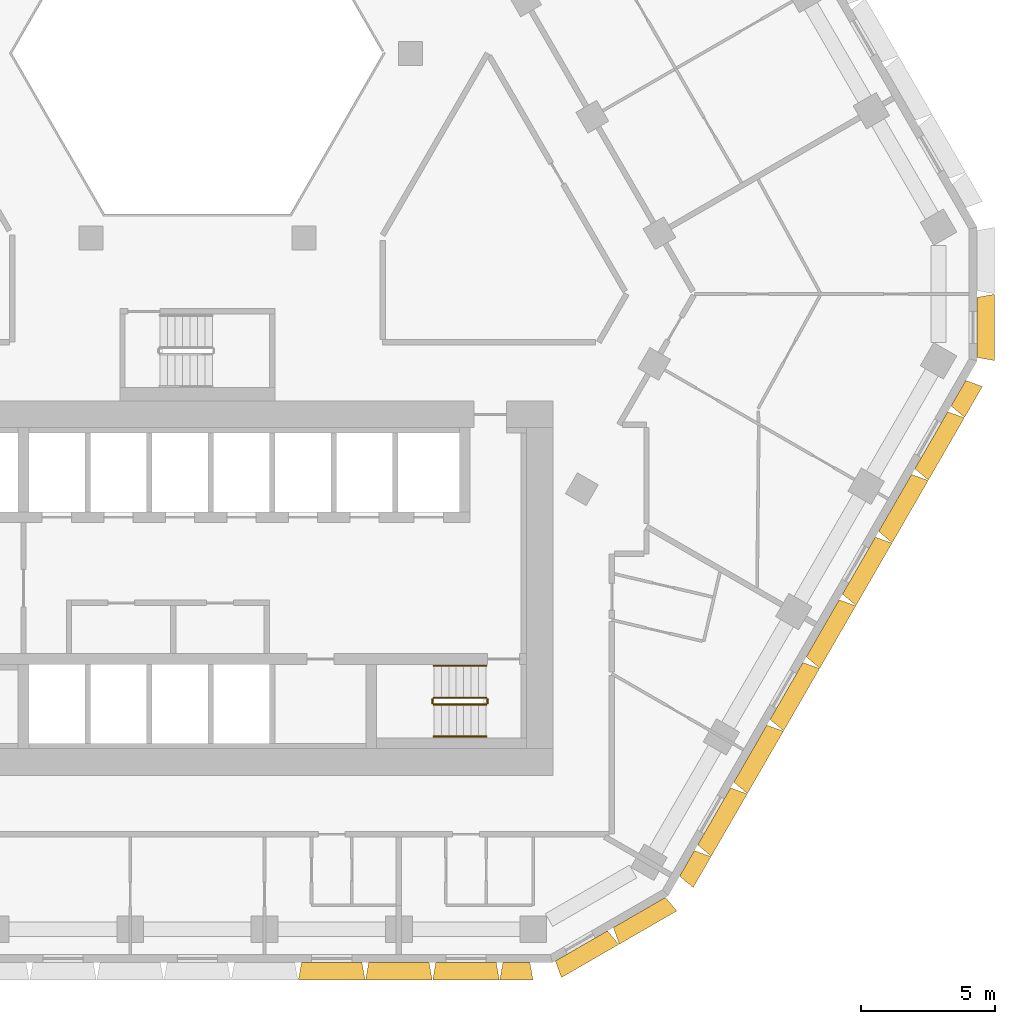
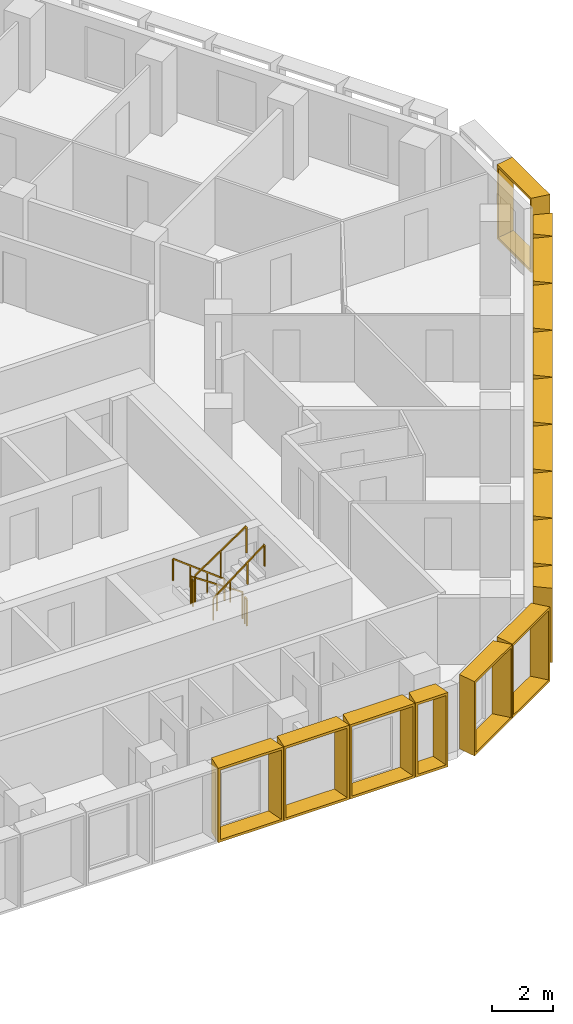
# One storey, part 14 of 15: 16 shading devices, 6 railings.
"""IFC4 building model written with IfcOpenShell, lengths in metres."""

from ifc_helpers import new_model, entity, si_unit, direction, frame, origin, origin_2d, place, context, subcontext, project, spatial, rectangle, extrude, source, transform, mapped, material, type_object, type_shapes, element, save


model = new_model("IFC4")

# Units and contexts
model_context = context("Model", 3, precision=1e-05, world=origin(), true_north=direction((0.0, 1.0)))
body_context = subcontext(model_context, "Body", "Model", "MODEL_VIEW")
ifc_project = project(units=[si_unit("LENGTHUNIT", "METRE"), si_unit("AREAUNIT", "SQUARE_METRE"), si_unit("VOLUMEUNIT", "CUBIC_METRE"), si_unit("PLANEANGLEUNIT", "RADIAN"), si_unit("MASSUNIT", "GRAM", prefix="KILO")], contexts=[model_context])

# Site, building, storey
site_placement = place(None, origin())
site = spatial("IfcSite", under=ifc_project, at=site_placement, CompositionType="ELEMENT")
building_placement = place(site_placement, origin())
building = spatial("IfcBuilding", under=site, at=building_placement, Name="Beryl Residences", CompositionType="ELEMENT")
storey_placement = place(building_placement, frame((0.0, 0.0, 78.0)))
storey = spatial("IfcBuildingStorey", under=building, at=storey_placement, Name="L23", CompositionType="ELEMENT", Elevation=78.0)

# Shading devices
ifc_material_1 = material(Name="Aluminium pale anodised", Category="aluminium")
shading_device_type_1 = type_object("IfcShadingDeviceType", Name="FR126-65A OUTER SKIN frame 650 mm deep, splay 10/10 deg, 1260 x 3000 mm cell", PredefinedType="USERDEFINED", material=ifc_material_1)
cartesian_point_1 = entity("IfcCartesianPoint", [-0.5048828125, 0.0])
cartesian_point_2 = entity("IfcCartesianPoint", [-0.423828125, 0.10009765625])
cartesian_point_3 = entity("IfcCartesianPoint", [-0.61962890625, 0.0])
cartesian_point_4 = entity("IfcCartesianPoint", [-0.538330078125, 0.10009765625])
shared_shape_1 = source(origin(), body_context, "Body", "SweptSolid", [
    entity("IfcExtrudedAreaSolidTapered", entity("IfcArbitraryProfileDefWithVoids", "AREA", None, entity("IfcPolyline", [cartesian_point_1, entity("IfcCartesianPoint", [0.5048828125, 0.0]), entity("IfcCartesianPoint", [0.5048828125, 3.0]), entity("IfcCartesianPoint", [-0.5048828125, 3.0]), cartesian_point_1]), [entity("IfcPolyline", [cartesian_point_2, entity("IfcCartesianPoint", [0.423828125, 0.10009765625]), entity("IfcCartesianPoint", [0.423828125, 2.89990234375]), entity("IfcCartesianPoint", [-0.423828125, 2.89990234375]), cartesian_point_2])]), entity("IfcAxis2Placement3D", entity("IfcCartesianPoint", [0.0, 0.0, 0.0]), entity("IfcDirection", [0.0, 1.0, 0.0]), entity("IfcDirection", [-1.0, 0.0, 0.0])), entity("IfcDirection", [0.0, 0.0, 1.0]), 0.64990234375, entity("IfcArbitraryProfileDefWithVoids", "AREA", None, entity("IfcPolyline", [cartesian_point_3, entity("IfcCartesianPoint", [0.61962890625, 0.0]), entity("IfcCartesianPoint", [0.61962890625, 3.0]), entity("IfcCartesianPoint", [-0.61962890625, 3.0]), cartesian_point_3]), [entity("IfcPolyline", [cartesian_point_4, entity("IfcCartesianPoint", [0.538330078125, 0.10009765625]), entity("IfcCartesianPoint", [0.538330078125, 2.89990234375]), entity("IfcCartesianPoint", [-0.538330078125, 2.89990234375]), cartesian_point_4])])),
])
type_shapes(shading_device_type_1, [shared_shape_1])
shading_device_placement = place(storey_placement, frame((11.929931640625, -26.0, 0.0), z_axis=(0.0, 0.0, 1.0), x_axis=(-1.0, 0.0, 0.0)))
element("IfcShadingDevice", 1, at=shading_device_placement, inside=storey, type_object=shading_device_type_1, Name="FR126-65A frame L23 S 11", ObjectType="OUTER SKIN", PredefinedType="USERDEFINED", context=body_context, shape_type="MappedRepresentation", body=[
    mapped(shared_shape_1, transform((0.0, 0.0, 0.0))),
])
ifc_material_2 = material(Name="Aluminium pale anodised", Category="aluminium")
shading_device_type_2 = type_object("IfcShadingDeviceType", Name="FR135-65A OUTER SKIN frame 650 mm deep, splay 10/10 deg, 1350 x 3000 mm cell", PredefinedType="USERDEFINED", material=ifc_material_2)
cartesian_point_5 = entity("IfcCartesianPoint", [-0.550048828125, 0.0])
cartesian_point_6 = entity("IfcCartesianPoint", [-0.46875, 0.10009765625])
cartesian_point_7 = entity("IfcCartesianPoint", [-0.66455078125, 0.0])
cartesian_point_8 = entity("IfcCartesianPoint", [-0.58349609375, 0.10009765625])
shared_shape_2 = source(origin(), body_context, "Body", "SweptSolid", [
    entity("IfcExtrudedAreaSolidTapered", entity("IfcArbitraryProfileDefWithVoids", "AREA", None, entity("IfcPolyline", [cartesian_point_5, entity("IfcCartesianPoint", [0.550048828125, 0.0]), entity("IfcCartesianPoint", [0.550048828125, 3.0]), entity("IfcCartesianPoint", [-0.550048828125, 3.0]), cartesian_point_5]), [entity("IfcPolyline", [cartesian_point_6, entity("IfcCartesianPoint", [0.46875, 0.10009765625]), entity("IfcCartesianPoint", [0.46875, 2.89990234375]), entity("IfcCartesianPoint", [-0.46875, 2.89990234375]), cartesian_point_6])]), entity("IfcAxis2Placement3D", entity("IfcCartesianPoint", [0.0, 0.0, 0.0]), entity("IfcDirection", [0.0, 1.0, 0.0]), entity("IfcDirection", [-1.0, 0.0, 0.0])), entity("IfcDirection", [0.0, 0.0, 1.0]), 0.64990234375, entity("IfcArbitraryProfileDefWithVoids", "AREA", None, entity("IfcPolyline", [cartesian_point_7, entity("IfcCartesianPoint", [0.66455078125, 0.0]), entity("IfcCartesianPoint", [0.66455078125, 3.0]), entity("IfcCartesianPoint", [-0.66455078125, 3.0]), cartesian_point_7]), [entity("IfcPolyline", [cartesian_point_8, entity("IfcCartesianPoint", [0.58349609375, 0.10009765625]), entity("IfcCartesianPoint", [0.58349609375, 2.89990234375]), entity("IfcCartesianPoint", [-0.58349609375, 2.89990234375]), cartesian_point_8])])),
])
type_shapes(shading_device_type_2, [shared_shape_2])
for number, where, z_axis, x_axis, name in (
    (2, (18.30810546875, -22.2900390625, 0.0), (0.0, 0.0, 1.0), (-0.5, -0.866025403784, 0.0), "FR135-65A frame L23 SE 1"),
    (3, (28.4580078125, -4.7099609375, 0.0), (0.0, 0.0, 1.0), (-0.5, -0.866025403784, 0.0), "FR135-65A frame L23 SE 9"),
):
    element("IfcShadingDevice", number, at=place(storey_placement, frame(where, z_axis=z_axis, x_axis=x_axis)), inside=storey, type_object=shading_device_type_2, Name=name, ObjectType="OUTER SKIN", PredefinedType="USERDEFINED", context=body_context, shape_type="MappedRepresentation", body=[
        mapped(shared_shape_2, transform((0.0, 0.0, 0.0))),
    ])
ifc_material_3 = material(Name="Aluminium pale anodised", Category="aluminium")
shading_device_type_3 = type_object("IfcShadingDeviceType", Name="FR250-65A OUTER SKIN frame 650 mm deep, splay 10/10 deg, 2500 x 3000 mm cell", PredefinedType="USERDEFINED", material=ifc_material_3)
cartesian_point_9 = entity("IfcCartesianPoint", [-1.125, 0.0])
cartesian_point_10 = entity("IfcCartesianPoint", [-1.043701171875, 0.10009765625])
cartesian_point_11 = entity("IfcCartesianPoint", [-1.239501953125, 0.0])
cartesian_point_12 = entity("IfcCartesianPoint", [-1.158447265625, 0.10009765625])
shared_shape_3 = source(origin(), body_context, "Body", "SweptSolid", [
    entity("IfcExtrudedAreaSolidTapered", entity("IfcArbitraryProfileDefWithVoids", "AREA", None, entity("IfcPolyline", [cartesian_point_9, entity("IfcCartesianPoint", [1.125, 0.0]), entity("IfcCartesianPoint", [1.125, 3.0]), entity("IfcCartesianPoint", [-1.125, 3.0]), cartesian_point_9]), [entity("IfcPolyline", [cartesian_point_10, entity("IfcCartesianPoint", [1.043701171875, 0.10009765625]), entity("IfcCartesianPoint", [1.043701171875, 2.89990234375]), entity("IfcCartesianPoint", [-1.043701171875, 2.89990234375]), cartesian_point_10])]), entity("IfcAxis2Placement3D", entity("IfcCartesianPoint", [0.0, 0.0, 0.0]), entity("IfcDirection", [0.0, 1.0, 0.0]), entity("IfcDirection", [-1.0, 0.0, 0.0])), entity("IfcDirection", [0.0, 0.0, 1.0]), 0.64990234375, entity("IfcArbitraryProfileDefWithVoids", "AREA", None, entity("IfcPolyline", [cartesian_point_11, entity("IfcCartesianPoint", [1.239501953125, 0.0]), entity("IfcCartesianPoint", [1.239501953125, 3.0]), entity("IfcCartesianPoint", [-1.239501953125, 3.0]), cartesian_point_11]), [entity("IfcPolyline", [cartesian_point_12, entity("IfcCartesianPoint", [1.158447265625, 0.10009765625]), entity("IfcCartesianPoint", [1.158447265625, 2.89990234375]), entity("IfcCartesianPoint", [-1.158447265625, 2.89990234375]), cartesian_point_12])])),
])
type_shapes(shading_device_type_3, [shared_shape_3])
for number, where, z_axis, x_axis, name in (
    (4, (14.361083984375, -25.375, 0.0), (0.0, 0.0, 1.0), (-0.866025403784, -0.5, 0.0), "FR250-65A frame L23 S-SE 1"),
    (5, (16.527099609375, -24.125, 0.0), (0.0, 0.0, 1.0), (-0.866025403784, -0.5, 0.0), "FR250-65A frame L23 S-SE 2"),
    (6, (29.156982421875, -2.25, 0.0), (0.0, 0.0, 1.0), (0.0, -1.0, 0.0), "FR250-65A frame L23 SE-NE 1"),
):
    element("IfcShadingDevice", number, at=place(storey_placement, frame(where, z_axis=z_axis, x_axis=x_axis)), inside=storey, type_object=shading_device_type_3, Name=name, ObjectType="OUTER SKIN", PredefinedType="USERDEFINED", context=body_context, shape_type="MappedRepresentation", body=[
        mapped(shared_shape_3, transform((0.0, 0.0, 0.0))),
    ])
ifc_material_4 = material(Name="Aluminium pale anodised", Category="aluminium")
shading_device_type_4 = type_object("IfcShadingDeviceType", Name="FR251-65A OUTER SKIN frame 650 mm deep, splay 10/10 deg, 2510 x 3000 mm cell", PredefinedType="USERDEFINED", material=ifc_material_4)
cartesian_point_13 = entity("IfcCartesianPoint", [-1.1298828125, 0.0])
cartesian_point_14 = entity("IfcCartesianPoint", [-1.048828125, 0.10009765625])
cartesian_point_15 = entity("IfcCartesianPoint", [-1.24462890625, 0.0])
cartesian_point_16 = entity("IfcCartesianPoint", [-1.163330078125, 0.10009765625])
shared_shape_4 = source(origin(), body_context, "Body", "SweptSolid", [
    entity("IfcExtrudedAreaSolidTapered", entity("IfcArbitraryProfileDefWithVoids", "AREA", None, entity("IfcPolyline", [cartesian_point_13, entity("IfcCartesianPoint", [1.1298828125, 0.0]), entity("IfcCartesianPoint", [1.1298828125, 3.0]), entity("IfcCartesianPoint", [-1.1298828125, 3.0]), cartesian_point_13]), [entity("IfcPolyline", [cartesian_point_14, entity("IfcCartesianPoint", [1.048828125, 0.10009765625]), entity("IfcCartesianPoint", [1.048828125, 2.89990234375]), entity("IfcCartesianPoint", [-1.048828125, 2.89990234375]), cartesian_point_14])]), entity("IfcAxis2Placement3D", entity("IfcCartesianPoint", [0.0, 0.0, 0.0]), entity("IfcDirection", [0.0, 1.0, 0.0]), entity("IfcDirection", [-1.0, 0.0, 0.0])), entity("IfcDirection", [0.0, 0.0, 1.0]), 0.64990234375, entity("IfcArbitraryProfileDefWithVoids", "AREA", None, entity("IfcPolyline", [cartesian_point_15, entity("IfcCartesianPoint", [1.24462890625, 0.0]), entity("IfcCartesianPoint", [1.24462890625, 3.0]), entity("IfcCartesianPoint", [-1.24462890625, 3.0]), cartesian_point_15]), [entity("IfcPolyline", [cartesian_point_16, entity("IfcCartesianPoint", [1.163330078125, 0.10009765625]), entity("IfcCartesianPoint", [1.163330078125, 2.89990234375]), entity("IfcCartesianPoint", [-1.163330078125, 2.89990234375]), cartesian_point_16])])),
])
type_shapes(shading_device_type_4, [shared_shape_4])
for number, where, z_axis, x_axis, name in (
    (7, (5.02392578125, -26.0, 0.0), (0.0, 0.0, 1.0), (-1.0, 0.0, 0.0), "FR251-65A frame L23 S 8"),
    (8, (7.534912109375, -26.0, 0.0), (0.0, 0.0, 1.0), (-1.0, 0.0, 0.0), "FR251-65A frame L23 S 9"),
    (9, (10.0458984375, -26.0, 0.0), (0.0, 0.0, 1.0), (-1.0, 0.0, 0.0), "FR251-65A frame L23 S 10"),
):
    element("IfcShadingDevice", number, at=place(storey_placement, frame(where, z_axis=z_axis, x_axis=x_axis)), inside=storey, type_object=shading_device_type_4, Name=name, ObjectType="OUTER SKIN", PredefinedType="USERDEFINED", context=body_context, shape_type="MappedRepresentation", body=[
        mapped(shared_shape_4, transform((0.0, 0.0, 0.0))),
    ])
ifc_material_5 = material(Name="Aluminium pale anodised", Category="aluminium")
shading_device_type_5 = type_object("IfcShadingDeviceType", Name="FR271-65A OUTER SKIN frame 650 mm deep, splay 10/10 deg, 2710 x 3000 mm cell", PredefinedType="USERDEFINED", material=ifc_material_5)
cartesian_point_17 = entity("IfcCartesianPoint", [-1.22998046875, 0.0])
cartesian_point_18 = entity("IfcCartesianPoint", [-1.148681640625, 0.10009765625])
cartesian_point_19 = entity("IfcCartesianPoint", [-1.3447265625, 0.0])
cartesian_point_20 = entity("IfcCartesianPoint", [-1.263427734375, 0.10009765625])
shared_shape_5 = source(origin(), body_context, "Body", "SweptSolid", [
    entity("IfcExtrudedAreaSolidTapered", entity("IfcArbitraryProfileDefWithVoids", "AREA", None, entity("IfcPolyline", [cartesian_point_17, entity("IfcCartesianPoint", [1.22998046875, 0.0]), entity("IfcCartesianPoint", [1.22998046875, 3.0]), entity("IfcCartesianPoint", [-1.22998046875, 3.0]), cartesian_point_17]), [entity("IfcPolyline", [cartesian_point_18, entity("IfcCartesianPoint", [1.148681640625, 0.10009765625]), entity("IfcCartesianPoint", [1.148681640625, 2.89990234375]), entity("IfcCartesianPoint", [-1.148681640625, 2.89990234375]), cartesian_point_18])]), entity("IfcAxis2Placement3D", entity("IfcCartesianPoint", [0.0, 0.0, 0.0]), entity("IfcDirection", [0.0, 1.0, 0.0]), entity("IfcDirection", [-1.0, 0.0, 0.0])), entity("IfcDirection", [0.0, 0.0, 1.0]), 0.64990234375, entity("IfcArbitraryProfileDefWithVoids", "AREA", None, entity("IfcPolyline", [cartesian_point_19, entity("IfcCartesianPoint", [1.3447265625, 0.0]), entity("IfcCartesianPoint", [1.3447265625, 3.0]), entity("IfcCartesianPoint", [-1.3447265625, 3.0]), cartesian_point_19]), [entity("IfcPolyline", [cartesian_point_20, entity("IfcCartesianPoint", [1.263427734375, 0.10009765625]), entity("IfcCartesianPoint", [1.263427734375, 2.89990234375]), entity("IfcCartesianPoint", [-1.263427734375, 2.89990234375]), cartesian_point_20])])),
])
type_shapes(shading_device_type_5, [shared_shape_5])
for number, where, z_axis, x_axis, name in (
    (10, (19.322998046875, -20.531982421875, 0.0), (0.0, 0.0, 1.0), (-0.5, -0.866025403784, 0.0), "FR271-65A frame L23 SE 2"),
    (11, (20.676025390625, -18.18798828125, 0.0), (0.0, 0.0, 1.0), (-0.5, -0.866025403784, 0.0), "FR271-65A frame L23 SE 3"),
    (12, (22.030029296875, -15.843994140625, 0.0), (0.0, 0.0, 1.0), (-0.5, -0.866025403784, 0.0), "FR271-65A frame L23 SE 4"),
    (13, (23.383056640625, -13.5, 0.0), (0.0, 0.0, 1.0), (-0.5, -0.866025403784, 0.0), "FR271-65A frame L23 SE 5"),
    (14, (24.736083984375, -11.156005859375, 0.0), (0.0, 0.0, 1.0), (-0.5, -0.866025403784, 0.0), "FR271-65A frame L23 SE 6"),
    (15, (26.090087890625, -8.81201171875, 0.0), (0.0, 0.0, 1.0), (-0.5, -0.866025403784, 0.0), "FR271-65A frame L23 SE 7"),
    (16, (27.443115234375, -6.468017578125, 0.0), (0.0, 0.0, 1.0), (-0.5, -0.866025403784, 0.0), "FR271-65A frame L23 SE 8"),
):
    element("IfcShadingDevice", number, at=place(storey_placement, frame(where, z_axis=z_axis, x_axis=x_axis)), inside=storey, type_object=shading_device_type_5, Name=name, ObjectType="OUTER SKIN", PredefinedType="USERDEFINED", context=body_context, shape_type="MappedRepresentation", body=[
        mapped(shared_shape_5, transform((0.0, 0.0, 0.0))),
    ])

# Railings
ifc_material_6 = material(Name="Stainless steel balustrade with glass infill", Category="steel")
railing_type_1 = type_object("IfcRailingType", Name="SG1 stair guard 1100 mm", PredefinedType="GUARDRAIL", material=ifc_material_6)
railing_1_placement = place(storey_placement, frame((10.800048828125, -16.10009765625, 0.1875)))
element("IfcRailing", 17, at=railing_1_placement, inside=storey, type_object=railing_type_1, Name="L23 ST-3 stair guard 1", PredefinedType="GUARDRAIL", context=body_context, shape_type="SweptSolid", body=[
    extrude(rectangle(XDim=0.048095703125, YDim=0.048095703125, at=origin_2d()), frame((0.0, 0.0, 1.076171875), z_axis=(-0.830902050051, 0.0, 0.556418712142), x_axis=(0.0, -1.0, 0.0)), (0.0, 0.0, 1.0), 2.35888671875),
    extrude(rectangle(XDim=0.0419921875, YDim=0.0419921875, at=origin_2d()), origin(), (0.0, 0.0, 1.0), 1.052001953125),
    extrude(rectangle(XDim=0.0419921875, YDim=0.0419921875, at=origin_2d()), frame((-0.97998046875, 0.0, 0.65625)), (0.0, 0.0, 1.0), 1.052001953125),
    extrude(rectangle(XDim=0.0419921875, YDim=0.0419921875, at=origin_2d()), frame((-1.9599609375, 0.0, 1.3125)), (0.0, 0.0, 1.0), 1.052001953125),
])
railing_2_placement = place(storey_placement, frame((8.7900390625, -16.14990234375, 1.5)))
element("IfcRailing", 18, at=railing_2_placement, inside=storey, type_object=railing_type_1, Name="L23 ST-3 stair guard 2", PredefinedType="GUARDRAIL", context=body_context, shape_type="SweptSolid", body=[
    extrude(rectangle(XDim=0.048095703125, YDim=0.048095703125, at=origin_2d()), frame((0.0, 0.0, 1.076171875), z_axis=(0.0, -1.0, 0.0), x_axis=(1.0, 0.0, 0.0)), (0.0, 0.0, 1.0), 0.150146484375),
    extrude(rectangle(XDim=0.0419921875, YDim=0.0419921875, at=origin_2d()), origin(), (0.0, 0.0, 1.0), 1.052001953125),
    extrude(rectangle(XDim=0.0419921875, YDim=0.0419921875, at=origin_2d()), frame((0.0, -0.150146484375, 0.0)), (0.0, 0.0, 1.0), 1.052001953125),
])
railing_3_placement = place(storey_placement, frame((8.840087890625, -16.35009765625, 1.6875)))
element("IfcRailing", 19, at=railing_3_placement, inside=storey, type_object=railing_type_1, Name="L23 ST-3 stair guard 3", PredefinedType="GUARDRAIL", context=body_context, shape_type="SweptSolid", body=[
    extrude(rectangle(XDim=0.048095703125, YDim=0.048095703125, at=origin_2d()), frame((0.0, 0.0, 1.076171875), z_axis=(0.830902050051, 0.0, 0.556418712142), x_axis=(0.0, 1.0, 0.0)), (0.0, 0.0, 1.0), 2.35888671875),
    extrude(rectangle(XDim=0.0419921875, YDim=0.0419921875, at=origin_2d()), origin(), (0.0, 0.0, 1.0), 1.052001953125),
    extrude(rectangle(XDim=0.0419921875, YDim=0.0419921875, at=origin_2d()), frame((0.97998046875, 0.0, 0.65625)), (0.0, 0.0, 1.0), 1.052001953125),
    extrude(rectangle(XDim=0.0419921875, YDim=0.0419921875, at=origin_2d()), frame((1.9599609375, 0.0, 1.3125)), (0.0, 0.0, 1.0), 1.052001953125),
])
railing_4_placement = place(storey_placement, frame((10.85009765625, -16.14990234375, 0.0)))
element("IfcRailing", 20, at=railing_4_placement, inside=storey, type_object=railing_type_1, Name="L23 ST-3 stair guard 4", PredefinedType="GUARDRAIL", context=body_context, shape_type="SweptSolid", body=[
    extrude(rectangle(XDim=0.048095703125, YDim=0.048095703125, at=origin_2d()), frame((0.0, 0.0, 1.076171875), z_axis=(0.0, -1.0, 0.0), x_axis=(1.0, 0.0, 0.0)), (0.0, 0.0, 1.0), 0.150146484375),
    extrude(rectangle(XDim=0.0419921875, YDim=0.0419921875, at=origin_2d()), origin(), (0.0, 0.0, 1.0), 1.052001953125),
    extrude(rectangle(XDim=0.0419921875, YDim=0.0419921875, at=origin_2d()), frame((0.0, -0.150146484375, 0.0)), (0.0, 0.0, 1.0), 1.052001953125),
])
ifc_material_7 = material(Name="Stainless steel handrail", Category="steel")
railing_type_2 = type_object("IfcRailingType", Name="SRL1 stair handrail 900 mm", PredefinedType="HANDRAIL", material=ifc_material_7)
railing_5_placement = place(storey_placement, frame((10.800048828125, -14.89990234375, 0.1875)))
element("IfcRailing", 21, at=railing_5_placement, inside=storey, type_object=railing_type_2, Name="L23 ST-3 stair handrail 1", PredefinedType="HANDRAIL", context=body_context, shape_type="SweptSolid", body=[
    extrude(rectangle(XDim=0.048095703125, YDim=0.048095703125, at=origin_2d()), frame((0.0, 0.0, 0.8759765625), z_axis=(-0.794121922505, 0.0, 0.607758481798), x_axis=(0.0, -1.0, 0.0)), (0.0, 0.0, 1.0), 2.468017578125),
    extrude(rectangle(XDim=0.0419921875, YDim=0.0419921875, at=origin_2d()), origin(), (0.0, 0.0, 1.0), 0.851806640625),
    extrude(rectangle(XDim=0.0419921875, YDim=0.0419921875, at=origin_2d()), frame((-0.6533203125, 0.0, 0.5)), (0.0, 0.0, 1.0), 0.851806640625),
    extrude(rectangle(XDim=0.0419921875, YDim=0.0419921875, at=origin_2d()), frame((-1.306640625, 0.0, 1.0)), (0.0, 0.0, 1.0), 0.851806640625),
    extrude(rectangle(XDim=0.0419921875, YDim=0.0419921875, at=origin_2d()), frame((-1.9599609375, 0.0, 1.5)), (0.0, 0.0, 1.0), 0.851806640625),
])
railing_6_placement = place(storey_placement, frame((8.840087890625, -17.550048828125, 1.6875)))
element("IfcRailing", 22, at=railing_6_placement, inside=storey, type_object=railing_type_2, Name="L23 ST-3 stair handrail 2", PredefinedType="HANDRAIL", context=body_context, shape_type="SweptSolid", body=[
    extrude(rectangle(XDim=0.048095703125, YDim=0.048095703125, at=origin_2d()), frame((0.0, 0.0, 0.8759765625), z_axis=(0.794121922505, 0.0, 0.607758481798), x_axis=(0.0, 1.0, 0.0)), (0.0, 0.0, 1.0), 2.468017578125),
    extrude(rectangle(XDim=0.0419921875, YDim=0.0419921875, at=origin_2d()), origin(), (0.0, 0.0, 1.0), 0.851806640625),
    extrude(rectangle(XDim=0.0419921875, YDim=0.0419921875, at=origin_2d()), frame((0.6533203125, 0.0, 0.5)), (0.0, 0.0, 1.0), 0.851806640625),
    extrude(rectangle(XDim=0.0419921875, YDim=0.0419921875, at=origin_2d()), frame((1.306640625, 0.0, 1.0)), (0.0, 0.0, 1.0), 0.851806640625),
    extrude(rectangle(XDim=0.0419921875, YDim=0.0419921875, at=origin_2d()), frame((1.9599609375, 0.0, 1.5)), (0.0, 0.0, 1.0), 0.851806640625),
])

save(model, "model.ifc")
